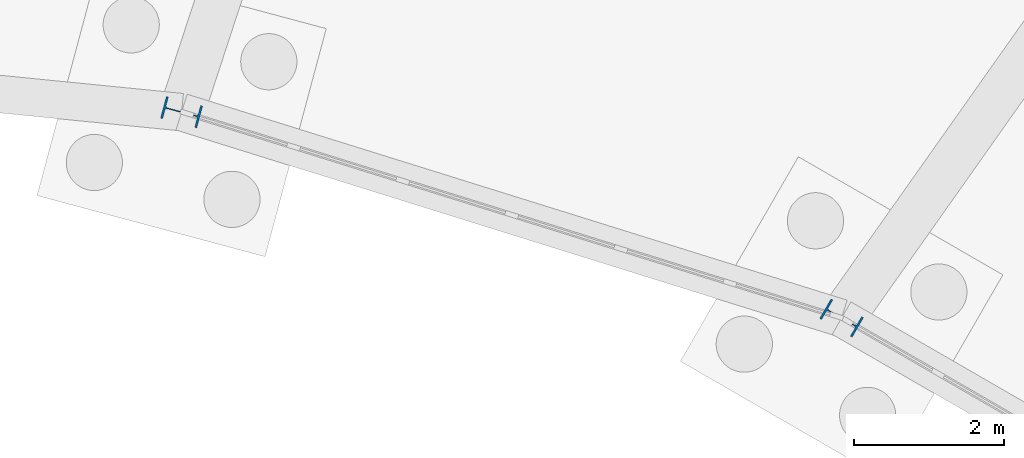
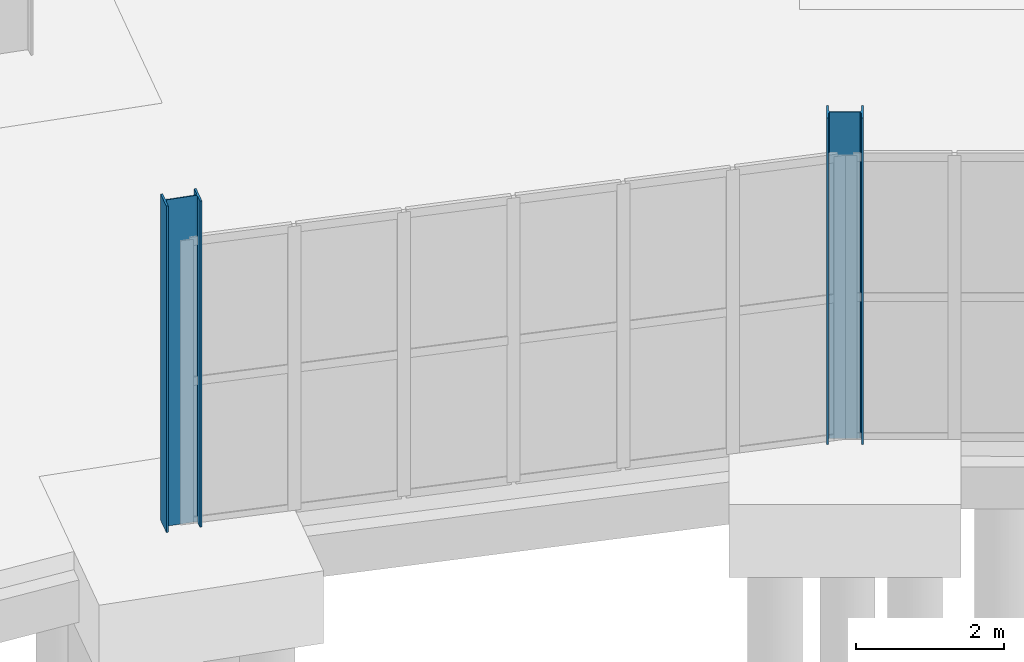
# One storey, part 30 of 118: 2 columns.
"""IFC4 building model written with IfcOpenShell, lengths in metres."""

from ifc_helpers import new_model, si_unit, direction, frame, origin, origin_2d, place, context, subcontext, project, spatial, i_section, extrude, material, material_profile, profile_set, type_object, element, save


model = new_model("IFC4")

# Units and contexts
model_context = context("Model", 3, precision=1e-05, world=origin(), true_north=direction((0.0, 1.0)))
body_context = subcontext(model_context, "Body", "Model", "MODEL_VIEW")
ifc_project = project(units=[si_unit("LENGTHUNIT", "METRE"), si_unit("AREAUNIT", "SQUARE_METRE"), si_unit("VOLUMEUNIT", "CUBIC_METRE"), si_unit("PLANEANGLEUNIT", "RADIAN"), si_unit("MASSUNIT", "GRAM", prefix="KILO")], contexts=[model_context])

# Site, building, storey
site_placement = place(None, origin())
site = spatial("IfcSite", under=ifc_project, at=site_placement, CompositionType="ELEMENT")
building_placement = place(site_placement, origin())
building = spatial("IfcBuilding", under=site, at=building_placement, Name="Kildeholm Park Wholesale Market", CompositionType="ELEMENT")
storey_placement = place(building_placement, origin())
storey = spatial("IfcBuildingStorey", under=building, at=storey_placement, Name="L00", CompositionType="ELEMENT", Elevation=0.0)

# Columns
ifc_material = material(Name="Steel S355", Category="steel")
ifc_material_profile = material_profile(ifc_material, i_section(OverallWidth=0.300048828125, OverallDepth=0.5, WebThickness=0.014404296875, FlangeThickness=0.028076171875, FilletRadius=0.027099609375, at=origin_2d()), Name="HEB 500")
ifc_profile_set = profile_set([ifc_material_profile], Name="Steel S355")
column_type = type_object("IfcColumnType", Name="Column C-S07 HEB 500", PredefinedType="COLUMN", material=ifc_profile_set)
for number, where, z_axis, x_axis, name in (
    (1, (117.25, 113.31591796875, 0.0), (0.0, 0.0, 1.0), (0.5, 0.866025403784, 0.0), "Column V1-IN-04 L00 COL-0037"),
    (2, (108.447021484375, 116.06298828125, 0.0), (0.0, 0.0, 1.0), (0.258819045103, 0.965925826289, 0.0), "Column V1-IN-05 L00 COL-0046"),
):
    element("IfcColumn", number, at=place(storey_placement, frame(where, z_axis=z_axis, x_axis=x_axis)), inside=storey, type_object=column_type, Name=name, PredefinedType="COLUMN", context=body_context, shape_type="SweptSolid", body=[
        extrude(i_section(OverallWidth=0.300048828125, OverallDepth=0.5, WebThickness=0.014404296875, FlangeThickness=0.028076171875, FilletRadius=0.027099609375, at=origin_2d()), origin(), (0.0, 0.0, 1.0), 5.39990234375),
    ])

save(model, "model.ifc")
